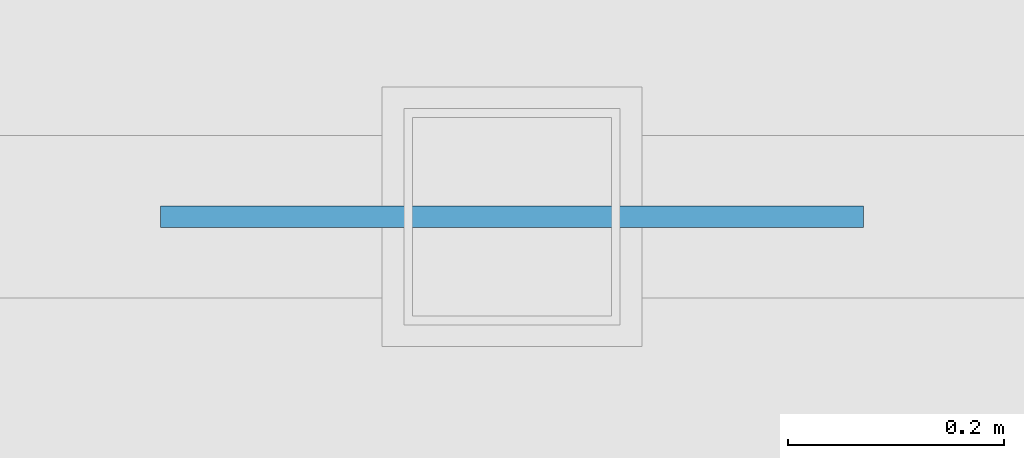
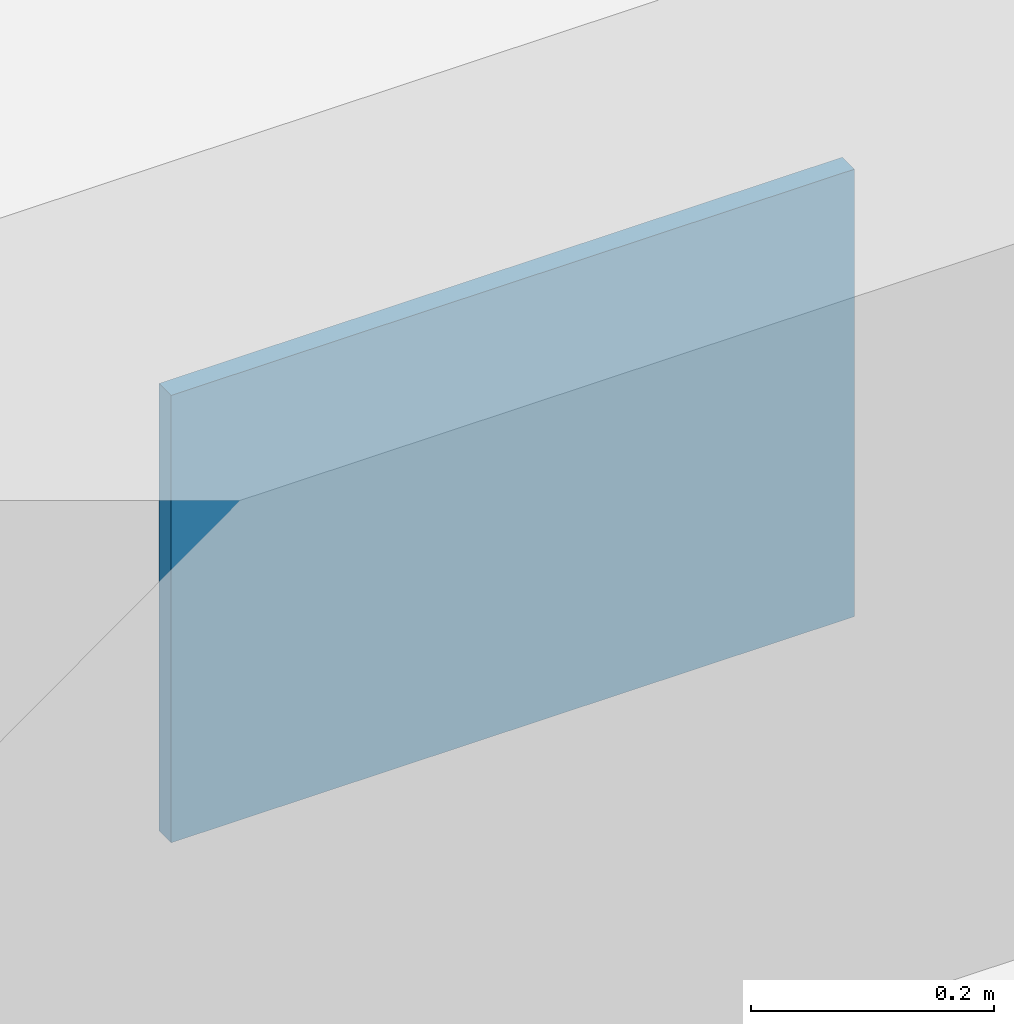
# One storey, part 162 of 195: 1 plate.
"""IFC4 building model written with IfcOpenShell, lengths in metres."""

from ifc_helpers import new_model, si_unit, direction, frame, origin, origin_2d, place, context, subcontext, project, spatial, rectangle, extrude, material, type_object, element, save


model = new_model("IFC4")

# Units and contexts
model_context = context("Model", 3, precision=1e-05, world=origin(), true_north=direction((0.0, 1.0)))
body_context = subcontext(model_context, "Body", "Model", "MODEL_VIEW")
ifc_project = project(units=[si_unit("LENGTHUNIT", "METRE"), si_unit("AREAUNIT", "SQUARE_METRE"), si_unit("VOLUMEUNIT", "CUBIC_METRE"), si_unit("PLANEANGLEUNIT", "RADIAN"), si_unit("MASSUNIT", "GRAM", prefix="KILO")], contexts=[model_context])

# Site, building, storey
site_placement = place(None, origin())
site = spatial("IfcSite", under=ifc_project, at=site_placement, CompositionType="ELEMENT")
building_placement = place(site_placement, origin())
building = spatial("IfcBuilding", under=site, at=building_placement, Name="Kharva Crest Polytechnic", CompositionType="ELEMENT")
storey_placement = place(building_placement, frame((0.0, 0.0, 9.0)))
storey = spatial("IfcBuildingStorey", under=building, at=storey_placement, Name="L02", CompositionType="ELEMENT", Elevation=9.0)

# Plate
ifc_material = material(Name="Steel S355", Category="steel")
plate_type = type_object("IfcPlateType", Name="PLT-GUS-650X450X20", PredefinedType="USERDEFINED", material=ifc_material)
plate_placement = place(storey_placement, frame((44.0, 78.800048828125, 3.4248046875), z_axis=(0.0, 0.0, 1.0), x_axis=(1.0, 0.0, 0.0)))
element("IfcPlate", 1, at=plate_placement, inside=storey, type_object=plate_type, Name="L02 Braced Frame Gusset Plate 6", ObjectType="GUSSET PLATE", PredefinedType="USERDEFINED", context=body_context, shape_type="SweptSolid", body=[
    extrude(rectangle(XDim=0.64990234375, YDim=0.02001953125, at=origin_2d()), origin(), (0.0, 0.0, 1.0), 0.449951171875),
])

save(model, "model.ifc")
